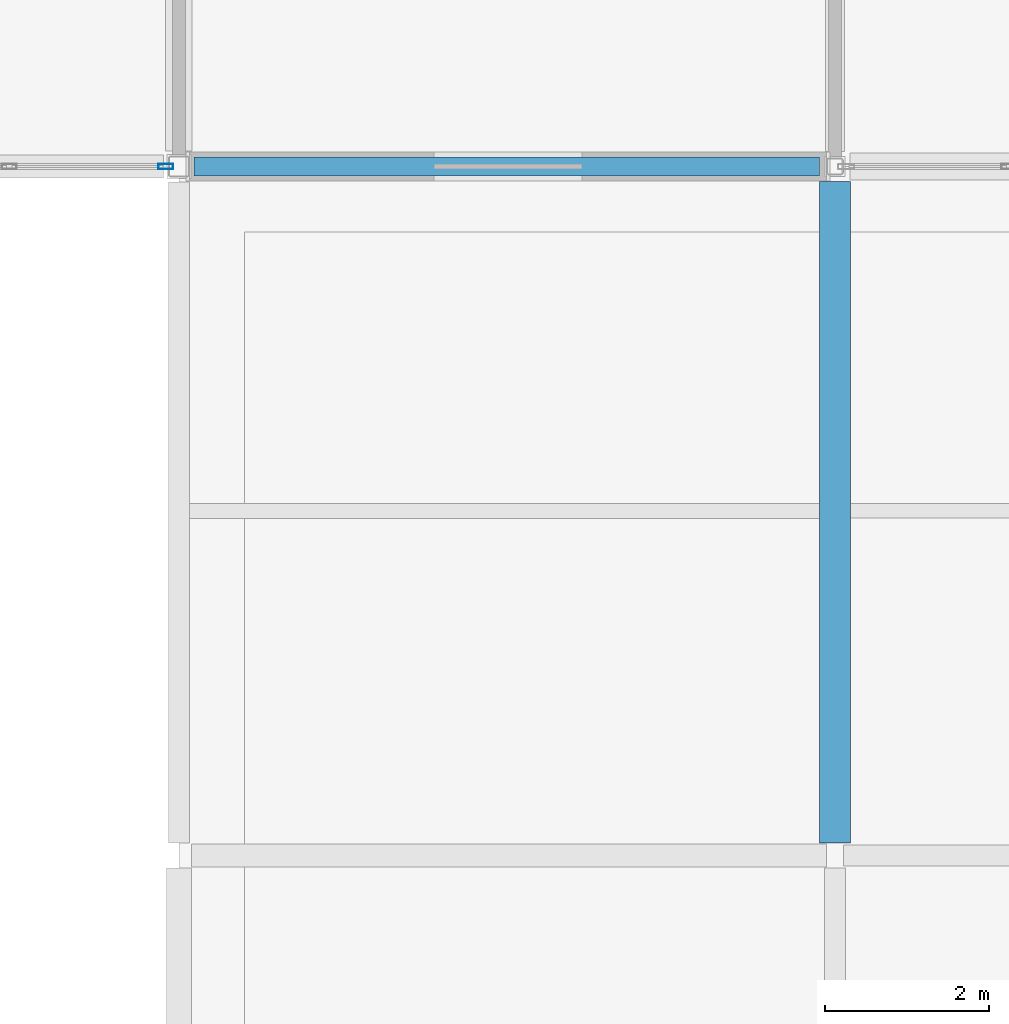
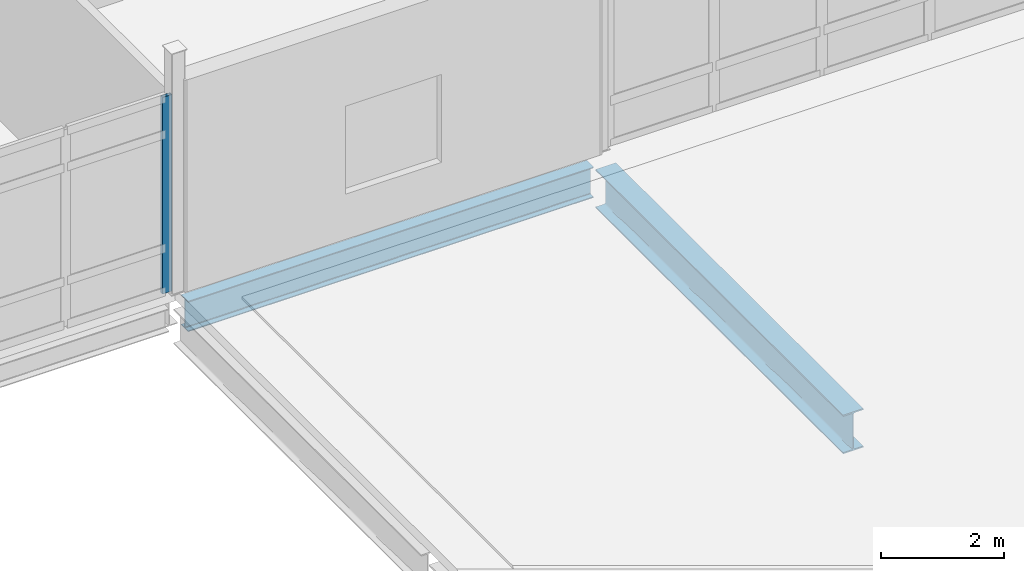
# One storey, part 67 of 186: 2 beams, 1 member, 1 element without a shape of its own.
"""IFC4 building model written with IfcOpenShell, lengths in metres."""

from ifc_helpers import new_model, si_unit, direction, frame, origin, origin_2d, place, context, subcontext, project, spatial, hollow_rectangle, i_section, extrude, material, layer, layer_set, material_profile, profile_set, type_object, element, aggregate, save


model = new_model("IFC4")

# Units and contexts
model_context = context("Model", 3, precision=1e-05, world=origin(), true_north=direction((0.0, 1.0)))
body_context = subcontext(model_context, "Body", "Model", "MODEL_VIEW")
ifc_project = project(units=[si_unit("LENGTHUNIT", "METRE"), si_unit("AREAUNIT", "SQUARE_METRE"), si_unit("VOLUMEUNIT", "CUBIC_METRE"), si_unit("PLANEANGLEUNIT", "RADIAN"), si_unit("MASSUNIT", "GRAM", prefix="KILO")], contexts=[model_context])

# Site, building, storey
site_placement = place(None, origin())
site = spatial("IfcSite", under=ifc_project, at=site_placement, CompositionType="ELEMENT")
building_placement = place(site_placement, origin())
building = spatial("IfcBuilding", under=site, at=building_placement, Name="Calvrana Isthmian Art Gallery", CompositionType="ELEMENT")
storey_placement = place(building_placement, frame((0.0, 0.0, 5.39990234375)))
storey = spatial("IfcBuildingStorey", under=building, at=storey_placement, Name="L01", CompositionType="ELEMENT", Elevation=5.39990234375)

# Beams
ifc_material_1 = material(Name="Steel ASTM A992 Gr 50", Category="steel")
ifc_material_profile_1 = material_profile(ifc_material_1, i_section(OverallWidth=0.22802734375, OverallDepth=0.60693359375, WebThickness=0.01123046875, FlangeThickness=0.017333984375, FilletRadius=0.02197265625, at=origin_2d()), Name="W24X76")
ifc_profile_set_1 = profile_set([ifc_material_profile_1], Name="Steel ASTM A992 Gr 50")
beam_type_1 = type_object("IfcBeamType", Name="BM-G-W24X76", PredefinedType="BEAM", material=ifc_profile_set_1)
beam_1_placement = place(storey_placement, frame((96.58642578125, 46.800048828125, -0.54833984375), z_axis=(1.0, 0.0, 0.0), x_axis=(0.0, 1.0, 0.0)))
element("IfcBeam", 1, at=beam_1_placement, inside=storey, type_object=beam_type_1, Name="Girder X L01 13-14/G", PredefinedType="BEAM", context=body_context, shape_type="SweptSolid", body=[
    extrude(i_section(OverallWidth=0.22802734375, OverallDepth=0.60693359375, WebThickness=0.01123046875, FlangeThickness=0.017333984375, FilletRadius=0.02197265625, at=origin_2d()), origin(), (0.0, 0.0, 1.0), 7.626953125),
])
ifc_material_profile_2 = material_profile(ifc_material_1, i_section(OverallWidth=0.381103515625, OverallDepth=0.77197265625, WebThickness=0.0166015625, FlangeThickness=0.027099609375, FilletRadius=0.02490234375, at=origin_2d()), Name="W30X173")
ifc_profile_set_2 = profile_set([ifc_material_profile_2], Name="Steel ASTM A992 Gr 50")
beam_type_2 = type_object("IfcBeamType", Name="BM-G-W30X173", PredefinedType="BEAM", material=ifc_profile_set_2)
beam_2_placement = place(storey_placement, frame((104.39990234375, 38.552490234375, -0.630859375), z_axis=(0.0, 1.0, 0.0), x_axis=(-1.0, 0.0, 0.0)))
element("IfcBeam", 2, at=beam_2_placement, inside=storey, type_object=beam_type_2, Name="Girder Y L01 14/F-G", PredefinedType="BEAM", context=body_context, shape_type="SweptSolid", body=[
    extrude(i_section(OverallWidth=0.381103515625, OverallDepth=0.77197265625, WebThickness=0.0166015625, FlangeThickness=0.027099609375, FilletRadius=0.02490234375, at=origin_2d()), origin(), (0.0, 0.0, 1.0), 8.0634765625),
])

# Curtain wall, member
ifc_material_2 = material(Name="Anodized bronze aluminium 6063-T6", Category="aluminium")
ifc_layer = layer(ifc_material_2, 0.179931640625, Name="Anodized bronze aluminium 6063-T6")
ifc_layer_set = layer_set([ifc_layer], Name="Anodized bronze aluminium 6063-T6")
curtain_wall_type = type_object("IfcCurtainWallType", Name="CW-STICK-078X39", PredefinedType="NOTDEFINED", material=ifc_layer_set)
curtain_wall_placement = place(storey_placement, origin())
curtain_wall = element("IfcCurtainWall", 3, at=curtain_wall_placement, inside=storey, type_object=curtain_wall_type, Name="Curtain wall CW-098", PredefinedType="NOTDEFINED")
ifc_material_profile_3 = material_profile(ifc_material_2, hollow_rectangle(XDim=0.06494140625, YDim=0.179931640625, WallThickness=0.00439453125, at=origin_2d()), Name="CWM65X180")
ifc_profile_set_3 = profile_set([ifc_material_profile_3], Name="Anodized bronze aluminium 6063-T6")
member_type = type_object("IfcMemberType", Name="CWM-CWM65X180", PredefinedType="MULLION", material=ifc_profile_set_3)
member_placement = place(storey_placement, frame((96.240478515625, 46.800048828125, 0.0), z_axis=(0.0, 0.0, 1.0), x_axis=(0.0, -1.0, 0.0)))
member = element("IfcMember", 4, at=member_placement, type_object=member_type, Name="CW-098 mullion 1", PredefinedType="MULLION", context=body_context, shape_type="SweptSolid", body=[
    extrude(hollow_rectangle(XDim=0.06494140625, YDim=0.179931640625, WallThickness=0.00439453125, at=origin_2d()), origin(), (0.0, 0.0, 1.0), 3.9130859375),
])
aggregate(curtain_wall, [member])

save(model, "model.ifc")
